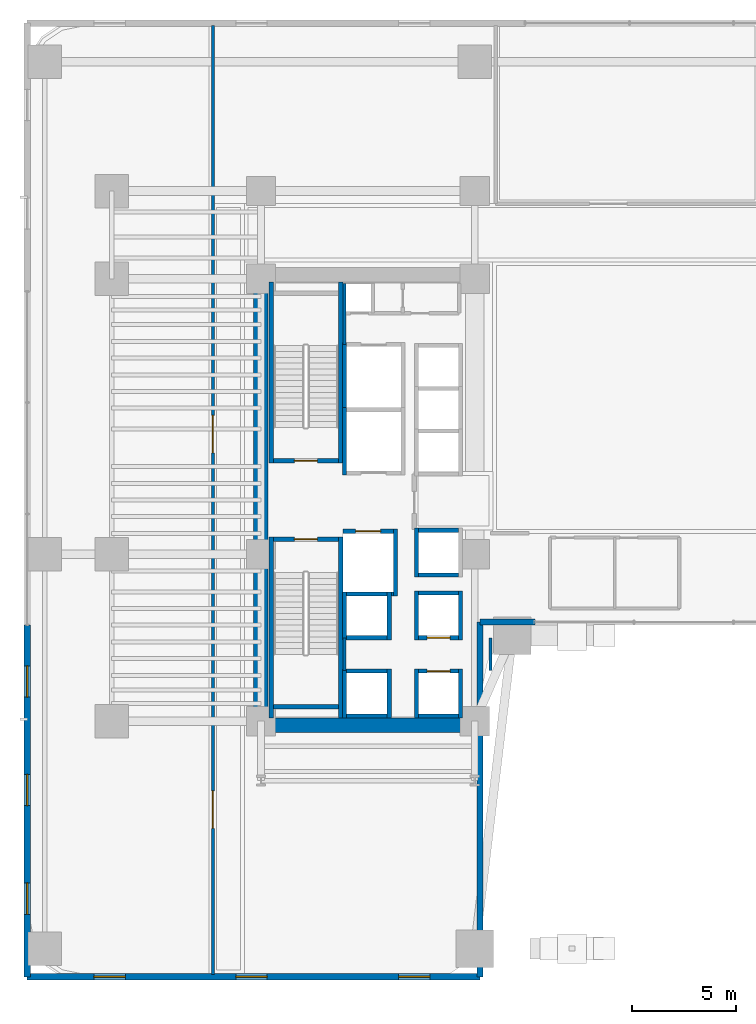
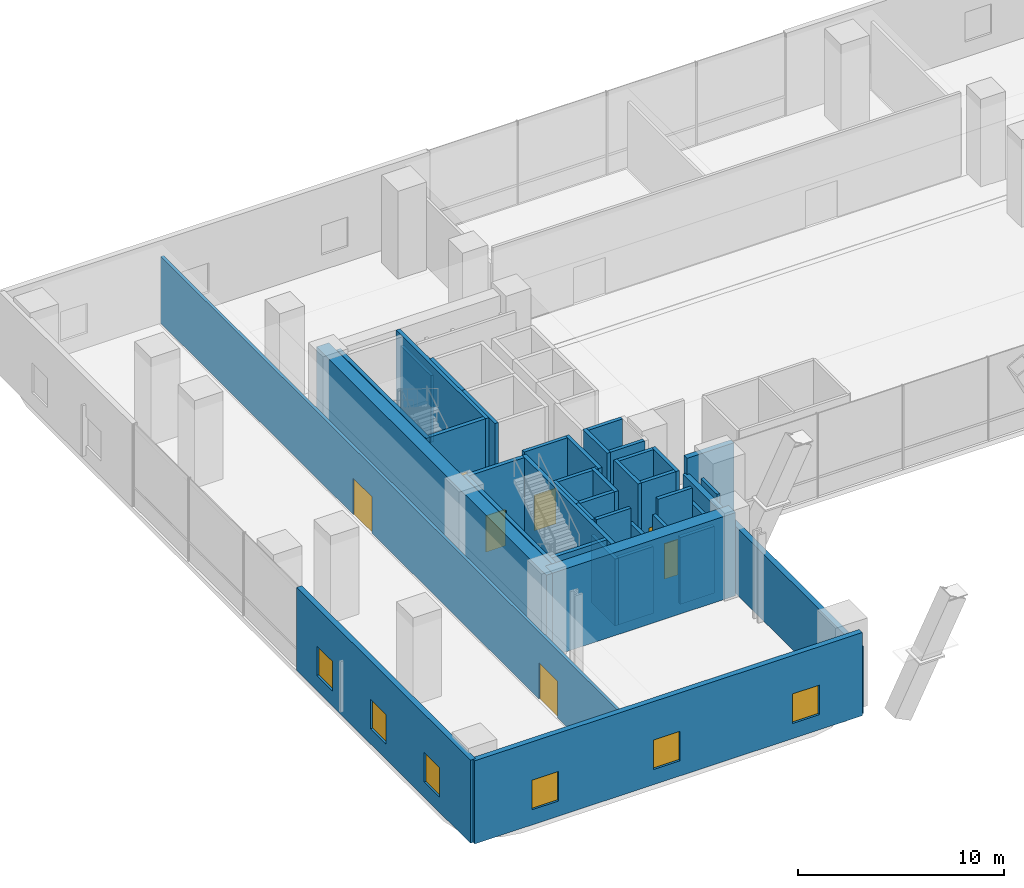
# One storey, part 26 of 39: 40 walls, 7 doors, 6 windows, 13 openings.
"""IFC4 building model written with IfcOpenShell, lengths in metres."""

from ifc_helpers import new_model, si_unit, direction, frame, frame_2d, origin, place, context, subcontext, project, spatial, rectangle, extrude, material, layer, layer_set, type_object, element, fill, save


model = new_model("IFC4")

# Units and contexts
model_context = context("Model", 3, precision=1e-05, world=origin(), true_north=direction((0.0, 1.0)))
body_context = subcontext(model_context, "Body", "Model", "MODEL_VIEW")
ifc_project = project(units=[si_unit("LENGTHUNIT", "METRE"), si_unit("AREAUNIT", "SQUARE_METRE"), si_unit("VOLUMEUNIT", "CUBIC_METRE"), si_unit("PLANEANGLEUNIT", "RADIAN"), si_unit("MASSUNIT", "GRAM", prefix="KILO")], contexts=[model_context])

# Site, building, storey
site_placement = place(None, origin())
site = spatial("IfcSite", under=ifc_project, at=site_placement, CompositionType="ELEMENT")
building_placement = place(site_placement, origin())
building = spatial("IfcBuilding", under=site, at=building_placement, Name="Valdorenza Pilgrim Sanctuary Tower", CompositionType="ELEMENT")
storey_placement = place(building_placement, frame((0.0, 0.0, 10.39990234375)))
storey = spatial("IfcBuildingStorey", under=building, at=storey_placement, Name="L02", CompositionType="ELEMENT", Elevation=10.39990234375)

# Walls
ifc_material_1 = material(Name="Acoustic twin-stud gypsum partition", Category="gypsum")
ifc_layer_1 = layer(ifc_material_1, 0.159912109375, Name="Acoustic twin-stud gypsum partition")
ifc_layer_set_1 = layer_set([ifc_layer_1], Name="Acoustic twin-stud gypsum partition")
wall_type_1 = type_object("IfcWallType", Name="WAL-COR-160", PredefinedType="PARTITIONING", material=ifc_layer_set_1)
wall_1_placement = place(storey_placement, frame((-18.64990234375, 7.449951171875, 0.0), z_axis=(0.0, 0.0, 1.0), x_axis=(0.0, 1.0, 0.0)))
element("IfcWall", 1, at=wall_1_placement, inside=storey, type_object=wall_type_1, Name="L02 Core A North Service West Wall", PredefinedType="PARTITIONING", context=body_context, shape_type="SweptSolid", body=[
    extrude(rectangle(XDim=2.929931640625, YDim=0.159912109375, at=frame_2d((1.46484375, 0.0))), origin(), (0.0, 0.0, 1.0), 3.95703125),
])
wall_2_placement = place(storey_placement, frame((-18.64990234375, -8.179931640625, 0.0), z_axis=(0.0, 0.0, 1.0), x_axis=(0.0, 1.0, 0.0)))
element("IfcWall", 2, at=wall_2_placement, inside=storey, type_object=wall_type_1, Name="L02 Core A South Lift Hall West Wall", PredefinedType="PARTITIONING", context=body_context, shape_type="SweptSolid", body=[
    extrude(rectangle(XDim=1.559814453125, YDim=0.159912109375, at=frame_2d((0.77978515625, 0.0))), origin(), (0.0, 0.0, 1.0), 4.920166015625),
])
wall_3_placement = place(storey_placement, frame((-11.64990234375, -8.179931640625, 0.0), z_axis=(0.0, 0.0, 1.0), x_axis=(0.0, 1.0, 0.0)))
element("IfcWall", 3, at=wall_3_placement, inside=storey, type_object=wall_type_1, Name="L02 Core A South Lift Hall East Wall", PredefinedType="PARTITIONING", context=body_context, shape_type="SweptSolid", body=[
    extrude(rectangle(XDim=1.559814453125, YDim=0.159912109375, at=frame_2d((0.77978515625, 0.0))), origin(), (0.0, 0.0, 1.0), 3.95703125),
])

# Wall, openings, doors
wall_4_placement = place(storey_placement, frame((-24.949951171875, -22.739990234375, 0.0), z_axis=(0.0, 0.0, 1.0), x_axis=(0.0, 1.0, 0.0)))
wall_4 = element("IfcWall", 4, at=wall_4_placement, inside=storey, type_object=wall_type_1, Name="L02 L02 West Hall Wall", PredefinedType="PARTITIONING", context=body_context, shape_type="SweptSolid", body=[
    extrude(rectangle(XDim=45.47998046875, YDim=0.159912109375, at=frame_2d((22.739990234375, 0.0))), origin(), (0.0, 0.0, 1.0), 3.95703125),
])
opening_1_placement = place(wall_4_placement, frame((7.0, 0.0, 0.0)))
opening_1 = element("IfcOpeningElement", 5, at=opening_1_placement, cuts=wall_4, Name="Opening DR-HL1", PredefinedType="OPENING", context=body_context, shape_type="SweptSolid", body=[
    extrude(rectangle(XDim=1.800048828125, YDim=2.14990234375, at=frame_2d((0.89990234375, 1.074951171875))), frame((0.0, 0.0947265625, 0.0), z_axis=(0.0, -1.0, 0.0), x_axis=(1.0, 0.0, 0.0)), (0.0, 0.0, 1.0), 0.189697265625),
])
opening_2_placement = place(wall_4_placement, frame((25.0, 0.0, 0.0)))
opening_2 = element("IfcOpeningElement", 6, at=opening_2_placement, cuts=wall_4, Name="Opening DR-HL1", PredefinedType="OPENING", context=body_context, shape_type="SweptSolid", body=[
    extrude(rectangle(XDim=1.800048828125, YDim=2.14990234375, at=frame_2d((0.89990234375, 1.074951171875))), frame((0.0, 0.0947265625, 0.0), z_axis=(0.0, -1.0, 0.0), x_axis=(1.0, 0.0, 0.0)), (0.0, 0.0, 1.0), 0.189697265625),
])
ifc_material_2 = material(Name="Acoustic oak and vision-glass double door", Category="glass")
door_type_1 = type_object("IfcDoorType", Name="DR-HALL-1800", OperationType="NOTDEFINED", PredefinedType="DOOR", material=ifc_material_2)
door_1_placement = place(opening_1_placement, origin())
door_1 = element("IfcDoor", 7, at=door_1_placement, inside=storey, type_object=door_type_1, Name="L02 Main Pilgrim Dining Restaurant South Double Door", OperationType="DOUBLE_DOOR_SINGLE_SWING", OverallHeight=2.14990234375, OverallWidth=1.800048828125, PredefinedType="DOOR", context=body_context, shape_type="SweptSolid", body=[
    extrude(rectangle(XDim=1.800048828125, YDim=2.14990234375, at=frame_2d((0.89990234375, 1.074951171875))), frame((0.0, 0.02490234375, 0.0), z_axis=(0.0, -1.0, 0.0), x_axis=(1.0, 0.0, 0.0)), (0.0, 0.0, 1.0), 0.050048828125),
])
fill(opening_1, door_1)
door_2_placement = place(opening_2_placement, frame((1.800048828125, 0.0, 0.0), z_axis=(0.0, 0.0, 1.0), x_axis=(-1.0, 0.0, 0.0)))
door_2 = element("IfcDoor", 8, at=door_2_placement, inside=storey, type_object=door_type_1, Name="L02 Main Pilgrim Dining Restaurant North Double Door", OperationType="DOUBLE_DOOR_SINGLE_SWING", OverallHeight=2.14990234375, OverallWidth=1.800048828125, PredefinedType="DOOR", context=body_context, shape_type="SweptSolid", body=[
    extrude(rectangle(XDim=1.800048828125, YDim=2.14990234375, at=frame_2d((0.89990234375, 1.074951171875))), frame((0.0, 0.02490234375, 0.0), z_axis=(0.0, -1.0, 0.0), x_axis=(1.0, 0.0, 0.0)), (0.0, 0.0, 1.0), 0.050048828125),
])
fill(opening_2, door_2)

# Walls
ifc_material_3 = material(Name="Concrete C60/75", Category="concrete")
ifc_layer_2 = layer(ifc_material_3, 0.699951171875, Name="Concrete C60/75")
ifc_layer_set_2 = layer_set([ifc_layer_2], Name="Concrete C60/75")
wall_type_2 = type_object("IfcWallType", Name="WAL-COR-700", PredefinedType="SHEAR", material=ifc_layer_set_2)
wall_5_placement = place(storey_placement, frame((-22.64990234375, -11.14990234375, 0.0), z_axis=(0.0, 0.0, 1.0), x_axis=(0.0, 1.0, 0.0)))
element("IfcWall", 9, at=wall_5_placement, inside=storey, type_object=wall_type_2, Name="L02 Split Core A Shear Wall W", PredefinedType="SHEAR", context=body_context, shape_type="SweptSolid", body=[
    extrude(rectangle(XDim=22.2998046875, YDim=0.699951171875, at=frame_2d((11.14990234375, 0.0))), origin(), (0.0, 0.0, 1.0), 4.920166015625),
])
wall_6_placement = place(storey_placement, frame((-22.64990234375, -10.800048828125, 0.0), z_axis=(0.0, 0.0, 1.0), x_axis=(1.0, 0.0, 0.0)))
element("IfcWall", 10, at=wall_6_placement, inside=storey, type_object=wall_type_2, Name="L02 Split Core A Shear Wall S", PredefinedType="SHEAR", context=body_context, shape_type="SweptSolid", body=[
    extrude(rectangle(XDim=10.25, YDim=0.699951171875, at=frame_2d((5.125, 0.0))), origin(), (0.0, 0.0, 1.0), 4.920166015625),
])

# Wall, openings, windows
ifc_material_4 = material(Name="Honed travertine limestone", Category="masonry")
ifc_layer_3 = layer(ifc_material_4, 0.300048828125, Name="Honed travertine limestone")
ifc_layer_set_3 = layer_set([ifc_layer_3], Name="Honed travertine limestone")
wall_type_3 = type_object("IfcWallType", Name="WAL-EXT-300", PredefinedType="SOLIDWALL", material=ifc_layer_set_3)
wall_7_placement = place(storey_placement, frame((-33.85009765625, -22.85009765625, 0.0), z_axis=(0.0, 0.0, 1.0), x_axis=(0.0, 1.0, 0.0)))
wall_7 = element("IfcWall", 11, at=wall_7_placement, inside=storey, type_object=wall_type_3, Name="L02 Podium Honed Travertine Stone Wall W-S", PredefinedType="SOLIDWALL", context=body_context, shape_type="SweptSolid", body=[
    extrude(rectangle(XDim=16.8701171875, YDim=0.300048828125, at=frame_2d((8.43505859375, 0.0))), origin(), (0.0, 0.0, 1.0), 4.920166015625),
])
opening_3_placement = place(wall_7_placement, frame((3.0, 0.0, 0.89990234375)))
opening_3 = element("IfcOpeningElement", 12, at=opening_3_placement, cuts=wall_7, Name="Opening WN-VS1", PredefinedType="OPENING", context=body_context, shape_type="SweptSolid", body=[
    extrude(rectangle(XDim=1.5, YDim=1.75, at=frame_2d((0.75, 0.875))), frame((0.0, 0.1650390625, 0.0), z_axis=(0.0, -1.0, 0.0), x_axis=(1.0, 0.0, 0.0)), (0.0, 0.0, 1.0), 0.329833984375),
])
opening_4_placement = place(wall_7_placement, frame((8.199951171875, 0.0, 0.89990234375)))
opening_4 = element("IfcOpeningElement", 13, at=opening_4_placement, cuts=wall_7, Name="Opening WN-VS1", PredefinedType="OPENING", context=body_context, shape_type="SweptSolid", body=[
    extrude(rectangle(XDim=1.5, YDim=1.75, at=frame_2d((0.75, 0.875))), frame((0.0, 0.1650390625, 0.0), z_axis=(0.0, -1.0, 0.0), x_axis=(1.0, 0.0, 0.0)), (0.0, 0.0, 1.0), 0.329833984375),
])
opening_5_placement = place(wall_7_placement, frame((13.39990234375, 0.0, 0.89990234375)))
opening_5 = element("IfcOpeningElement", 14, at=opening_5_placement, cuts=wall_7, Name="Opening WN-VS1", PredefinedType="OPENING", context=body_context, shape_type="SweptSolid", body=[
    extrude(rectangle(XDim=1.5, YDim=1.75, at=frame_2d((0.75, 0.875))), frame((0.0, 0.1650390625, 0.0), z_axis=(0.0, -1.0, 0.0), x_axis=(1.0, 0.0, 0.0)), (0.0, 0.0, 1.0), 0.329833984375),
])
ifc_material_5 = material(Name="Ceramic-fritted low-E IGU glazing", Category="glass")
window_type = type_object("IfcWindowType", Name="WIN-VIS-1500", PartitioningType="SINGLE_PANEL", PredefinedType="WINDOW", material=ifc_material_5)
window_1_placement = place(opening_3_placement, origin())
window_1 = element("IfcWindow", 15, at=window_1_placement, inside=storey, type_object=window_type, Name="L02 Podium Stone Vision Window W-S-1", OverallHeight=1.75, OverallWidth=1.5, PartitioningType="SINGLE_PANEL", PredefinedType="WINDOW", context=body_context, shape_type="SweptSolid", body=[
    extrude(rectangle(XDim=1.5, YDim=1.75, at=frame_2d((0.75, 0.875))), frame((0.0, 0.030029296875, 0.0), z_axis=(0.0, -1.0, 0.0), x_axis=(1.0, 0.0, 0.0)), (0.0, 0.0, 1.0), 0.06005859375),
])
fill(opening_3, window_1)
window_2_placement = place(opening_4_placement, origin())
window_2 = element("IfcWindow", 16, at=window_2_placement, inside=storey, type_object=window_type, Name="L02 Podium Stone Vision Window W-S-2", OverallHeight=1.75, OverallWidth=1.5, PartitioningType="SINGLE_PANEL", PredefinedType="WINDOW", context=body_context, shape_type="SweptSolid", body=[
    extrude(rectangle(XDim=1.5, YDim=1.75, at=frame_2d((0.75, 0.875))), frame((0.0, 0.030029296875, 0.0), z_axis=(0.0, -1.0, 0.0), x_axis=(1.0, 0.0, 0.0)), (0.0, 0.0, 1.0), 0.06005859375),
])
fill(opening_4, window_2)
window_3_placement = place(opening_5_placement, origin())
window_3 = element("IfcWindow", 17, at=window_3_placement, inside=storey, type_object=window_type, Name="L02 Podium Stone Vision Window W-S-3", OverallHeight=1.75, OverallWidth=1.5, PartitioningType="SINGLE_PANEL", PredefinedType="WINDOW", context=body_context, shape_type="SweptSolid", body=[
    extrude(rectangle(XDim=1.5, YDim=1.75, at=frame_2d((0.75, 0.875))), frame((0.0, 0.030029296875, 0.0), z_axis=(0.0, -1.0, 0.0), x_axis=(1.0, 0.0, 0.0)), (0.0, 0.0, 1.0), 0.06005859375),
])
fill(opening_5, window_3)

wall_8_placement = place(storey_placement, frame((-33.85009765625, -22.85009765625, 0.0), z_axis=(0.0, 0.0, 1.0), x_axis=(1.0, 0.0, 0.0)))
wall_8 = element("IfcWall", 18, at=wall_8_placement, inside=storey, type_object=wall_type_3, Name="L02 Podium Honed Travertine Stone Wall S-W", PredefinedType="SOLIDWALL", context=body_context, shape_type="SweptSolid", body=[
    extrude(rectangle(XDim=21.7001953125, YDim=0.300048828125, at=frame_2d((10.85009765625, 0.0))), origin(), (0.0, 0.0, 1.0), 4.920166015625),
])
opening_6_placement = place(wall_8_placement, frame((3.199951171875, 0.0, 0.89990234375)))
opening_6 = element("IfcOpeningElement", 19, at=opening_6_placement, cuts=wall_8, Name="Opening WN-VS1", PredefinedType="OPENING", context=body_context, shape_type="SweptSolid", body=[
    extrude(rectangle(XDim=1.5, YDim=1.75, at=frame_2d((0.75, 0.875))), frame((0.0, 0.1650390625, 0.0), z_axis=(0.0, -1.0, 0.0), x_axis=(1.0, 0.0, 0.0)), (0.0, 0.0, 1.0), 0.329833984375),
])
opening_7_placement = place(wall_8_placement, frame((10.0, 0.0, 0.89990234375)))
opening_7 = element("IfcOpeningElement", 20, at=opening_7_placement, cuts=wall_8, Name="Opening WN-VS1", PredefinedType="OPENING", context=body_context, shape_type="SweptSolid", body=[
    extrude(rectangle(XDim=1.5, YDim=1.75, at=frame_2d((0.75, 0.875))), frame((0.0, 0.1650390625, 0.0), z_axis=(0.0, -1.0, 0.0), x_axis=(1.0, 0.0, 0.0)), (0.0, 0.0, 1.0), 0.329833984375),
])
opening_8_placement = place(wall_8_placement, frame((17.800048828125, 0.0, 0.89990234375)))
opening_8 = element("IfcOpeningElement", 21, at=opening_8_placement, cuts=wall_8, Name="Opening WN-VS1", PredefinedType="OPENING", context=body_context, shape_type="SweptSolid", body=[
    extrude(rectangle(XDim=1.5, YDim=1.75, at=frame_2d((0.75, 0.875))), frame((0.0, 0.1650390625, 0.0), z_axis=(0.0, -1.0, 0.0), x_axis=(1.0, 0.0, 0.0)), (0.0, 0.0, 1.0), 0.329833984375),
])
window_4_placement = place(opening_6_placement, origin())
window_4 = element("IfcWindow", 22, at=window_4_placement, inside=storey, type_object=window_type, Name="L02 Podium Stone Vision Window S-W-1", OverallHeight=1.75, OverallWidth=1.5, PartitioningType="SINGLE_PANEL", PredefinedType="WINDOW", context=body_context, shape_type="SweptSolid", body=[
    extrude(rectangle(XDim=1.5, YDim=1.75, at=frame_2d((0.75, 0.875))), frame((0.0, 0.030029296875, 0.0), z_axis=(0.0, -1.0, 0.0), x_axis=(1.0, 0.0, 0.0)), (0.0, 0.0, 1.0), 0.06005859375),
])
fill(opening_6, window_4)
window_5_placement = place(opening_7_placement, origin())
window_5 = element("IfcWindow", 23, at=window_5_placement, inside=storey, type_object=window_type, Name="L02 Podium Stone Vision Window S-W-2", OverallHeight=1.75, OverallWidth=1.5, PartitioningType="SINGLE_PANEL", PredefinedType="WINDOW", context=body_context, shape_type="SweptSolid", body=[
    extrude(rectangle(XDim=1.5, YDim=1.75, at=frame_2d((0.75, 0.875))), frame((0.0, 0.030029296875, 0.0), z_axis=(0.0, -1.0, 0.0), x_axis=(1.0, 0.0, 0.0)), (0.0, 0.0, 1.0), 0.06005859375),
])
fill(opening_7, window_5)
window_6_placement = place(opening_8_placement, origin())
window_6 = element("IfcWindow", 24, at=window_6_placement, inside=storey, type_object=window_type, Name="L02 Podium Stone Vision Window S-W-3", OverallHeight=1.75, OverallWidth=1.5, PartitioningType="SINGLE_PANEL", PredefinedType="WINDOW", context=body_context, shape_type="SweptSolid", body=[
    extrude(rectangle(XDim=1.5, YDim=1.75, at=frame_2d((0.75, 0.875))), frame((0.0, 0.030029296875, 0.0), z_axis=(0.0, -1.0, 0.0), x_axis=(1.0, 0.0, 0.0)), (0.0, 0.0, 1.0), 0.06005859375),
])
fill(opening_8, window_6)

# Walls
wall_9_placement = place(storey_placement, frame((-12.14990234375, -22.85009765625, 0.0), z_axis=(0.0, 0.0, 1.0), x_axis=(0.0, 1.0, 0.0)))
element("IfcWall", 25, at=wall_9_placement, inside=storey, type_object=wall_type_3, Name="L02 Portal Arch Stone Cheek Wall ARCH-W", PredefinedType="SOLIDWALL", context=body_context, shape_type="SweptSolid", body=[
    extrude(rectangle(XDim=17.0, YDim=0.300048828125, at=frame_2d((8.5, 0.0))), origin(), (0.0, 0.0, 1.0), 3.95703125),
])
wall_10_placement = place(storey_placement, frame((-12.14990234375, -5.85009765625, 0.0), z_axis=(0.0, 0.0, 1.0), x_axis=(1.0, 0.0, 0.0)))
element("IfcWall", 26, at=wall_10_placement, inside=storey, type_object=wall_type_3, Name="L02 Arch Pier West Stone Jamb", PredefinedType="SOLIDWALL", context=body_context, shape_type="SweptSolid", body=[
    extrude(rectangle(XDim=2.6298828125, YDim=0.300048828125, at=frame_2d((1.31494140625, 0.0))), origin(), (0.0, 0.0, 1.0), 4.920166015625),
])
ifc_material_6 = material(Name="Autoclaved aerated concrete blockwork", Category="masonry")
ifc_layer_4 = layer(ifc_material_6, 0.199951171875, Name="Autoclaved aerated concrete blockwork")
ifc_layer_set_4 = layer_set([ifc_layer_4], Name="Autoclaved aerated concrete blockwork")
wall_type_4 = type_object("IfcWallType", Name="WAL-SHF-200", PredefinedType="MOVABLE", material=ifc_layer_set_4)
wall_11_placement = place(storey_placement, frame((-18.64990234375, 1.199951171875, 0.0), z_axis=(0.0, 0.0, 1.0), x_axis=(0.0, 1.0, 0.0)))
element("IfcWall", 27, at=wall_11_placement, inside=storey, type_object=wall_type_4, Name="L02 Lift FFL-01 Hoistway Wall West", PredefinedType="MOVABLE", context=body_context, shape_type="SweptSolid", body=[
    extrude(rectangle(XDim=3.22509765625, YDim=0.199951171875, at=frame_2d((1.612548828125, 0.0))), origin(), (0.0, 0.0, 1.0), 4.920166015625),
])
wall_12_placement = place(storey_placement, frame((-16.199951171875, -4.60009765625, 0.0), z_axis=(0.0, 0.0, 1.0), x_axis=(0.0, 1.0, 0.0)))
element("IfcWall", 28, at=wall_12_placement, inside=storey, type_object=wall_type_4, Name="L02 Lift FFL-02 Hoistway Wall East", PredefinedType="MOVABLE", context=body_context, shape_type="SweptSolid", body=[
    extrude(rectangle(XDim=3.2001953125, YDim=0.199951171875, at=frame_2d((1.60009765625, 0.0))), origin(), (0.0, 0.0, 1.0), 4.920166015625),
])
wall_13_placement = place(storey_placement, frame((-18.719970703125, -4.5, 0.0), z_axis=(0.0, 0.0, 1.0), x_axis=(1.0, 0.0, 0.0)))
element("IfcWall", 29, at=wall_13_placement, inside=storey, type_object=wall_type_4, Name="L02 Lift FFL-02 Hoistway Wall South", PredefinedType="MOVABLE", context=body_context, shape_type="SweptSolid", body=[
    extrude(rectangle(XDim=2.419921875, YDim=0.199951171875, at=frame_2d((1.2099609375, 0.0))), origin(), (0.0, 0.0, 1.0), 4.920166015625),
])

# Wall, opening, door
wall_14_placement = place(storey_placement, frame((-18.719970703125, -1.5, 0.0), z_axis=(0.0, 0.0, 1.0), x_axis=(1.0, 0.0, 0.0)))
wall_14 = element("IfcWall", 30, at=wall_14_placement, inside=storey, type_object=wall_type_4, Name="L02 Lift FFL-02 Hoistway Wall North", PredefinedType="MOVABLE", context=body_context, shape_type="SweptSolid", body=[
    extrude(rectangle(XDim=2.419921875, YDim=0.199951171875, at=frame_2d((1.2099609375, 0.0))), origin(), (0.0, 0.0, 1.0), 4.920166015625),
])
opening_9_placement = place(wall_14_placement, frame((0.610107421875, 0.0, 0.0)))
opening_9 = element("IfcOpeningElement", 31, at=opening_9_placement, cuts=wall_14, Name="Opening LD-02", PredefinedType="OPENING", context=body_context, shape_type="SweptSolid", body=[
    extrude(rectangle(XDim=1.199951171875, YDim=2.10009765625, at=frame_2d((0.60009765625, 1.050048828125))), frame((0.0, 0.11474609375, 0.0), z_axis=(0.0, -1.0, 0.0), x_axis=(1.0, 0.0, 0.0)), (0.0, 0.0, 1.0), 0.229736328125),
])
ifc_material_7 = material(Name="Brushed stainless steel Grade 316", Category="steel")
door_type_2 = type_object("IfcDoorType", Name="DR-LFT-1200", OperationType="DOUBLE_DOOR_SLIDING", PredefinedType="DOOR", material=ifc_material_7)
door_3_placement = place(opening_9_placement, origin())
door_3 = element("IfcDoor", 32, at=door_3_placement, inside=storey, type_object=door_type_2, Name="L02 Lift FFL-02 Sliding Landing Door", OperationType="DOUBLE_DOOR_SLIDING", OverallHeight=2.10009765625, OverallWidth=1.199951171875, PredefinedType="DOOR", context=body_context, shape_type="SweptSolid", body=[
    extrude(rectangle(XDim=1.199951171875, YDim=2.10009765625, at=frame_2d((0.60009765625, 1.050048828125))), frame((0.0, 0.02490234375, 0.0), z_axis=(0.0, -1.0, 0.0), x_axis=(1.0, 0.0, 0.0)), (0.0, 0.0, 1.0), 0.050048828125),
])
fill(opening_9, door_3)

# Walls
wall_15_placement = place(storey_placement, frame((-18.64990234375, 4.22509765625, 0.0), z_axis=(0.0, 0.0, 1.0), x_axis=(0.0, 1.0, 0.0)))
element("IfcWall", 33, at=wall_15_placement, inside=storey, type_object=wall_type_4, Name="L02 Lift SVL-01 Hoistway Wall West", PredefinedType="MOVABLE", context=body_context, shape_type="SweptSolid", body=[
    extrude(rectangle(XDim=3.324951171875, YDim=0.199951171875, at=frame_2d((1.66259765625, 0.0))), origin(), (0.0, 0.0, 1.0), 4.920166015625),
])
for number, where, z_axis, x_axis, name in (
    (34, (-15.199951171875, -10.449951171875, 0.0), (0.0, 0.0, 1.0), (0.0, 1.0, 0.0), "L02 Lift PL-01 Hoistway Wall West"),
    (35, (-13.080078125, -10.449951171875, 0.0), (0.0, 0.0, 1.0), (0.0, 1.0, 0.0), "L02 Lift PL-01 Hoistway Wall East"),
):
    element("IfcWall", number, at=place(storey_placement, frame(where, z_axis=z_axis, x_axis=x_axis)), inside=storey, type_object=wall_type_4, Name=name, PredefinedType="MOVABLE", context=body_context, shape_type="SweptSolid", body=[
        extrude(rectangle(XDim=2.349853515625, YDim=0.199951171875, at=frame_2d((1.1748046875, 0.0))), origin(), (0.0, 0.0, 1.0), 3.95703125),
    ])
wall_16_placement = place(storey_placement, frame((-15.10009765625, -10.35009765625, 0.0), z_axis=(0.0, 0.0, 1.0), x_axis=(1.0, 0.0, 0.0)))
element("IfcWall", 36, at=wall_16_placement, inside=storey, type_object=wall_type_4, Name="L02 Lift PL-01 Hoistway Wall South", PredefinedType="MOVABLE", context=body_context, shape_type="SweptSolid", body=[
    extrude(rectangle(XDim=1.920166015625, YDim=0.199951171875, at=frame_2d((0.9599609375, 0.0))), origin(), (0.0, 0.0, 1.0), 3.95703125),
])

# Wall, opening, door
wall_17_placement = place(storey_placement, frame((-15.10009765625, -8.199951171875, 0.0), z_axis=(0.0, 0.0, 1.0), x_axis=(1.0, 0.0, 0.0)))
wall_17 = element("IfcWall", 37, at=wall_17_placement, inside=storey, type_object=wall_type_4, Name="L02 Lift PL-01 Hoistway Wall North", PredefinedType="MOVABLE", context=body_context, shape_type="SweptSolid", body=[
    extrude(rectangle(XDim=1.920166015625, YDim=0.199951171875, at=frame_2d((0.9599609375, 0.0))), origin(), (0.0, 0.0, 1.0), 4.920166015625),
])
opening_10_placement = place(wall_17_placement, frame((0.409912109375, 0.0, 0.0)))
opening_10 = element("IfcOpeningElement", 38, at=opening_10_placement, cuts=wall_17, Name="Opening LD-01", PredefinedType="OPENING", context=body_context, shape_type="SweptSolid", body=[
    extrude(rectangle(XDim=1.10009765625, YDim=2.10009765625, at=frame_2d((0.550048828125, 1.050048828125))), frame((0.0, 0.11474609375, 0.0), z_axis=(0.0, -1.0, 0.0), x_axis=(1.0, 0.0, 0.0)), (0.0, 0.0, 1.0), 0.229736328125),
])
door_type_3 = type_object("IfcDoorType", Name="DR-LFT-1100", OperationType="DOUBLE_DOOR_SLIDING", PredefinedType="DOOR", material=ifc_material_7)
door_4_placement = place(opening_10_placement, origin())
door_4 = element("IfcDoor", 39, at=door_4_placement, inside=storey, type_object=door_type_3, Name="L02 Lift PL-01 Sliding Landing Door", OperationType="DOUBLE_DOOR_SLIDING", OverallHeight=2.10009765625, OverallWidth=1.10009765625, PredefinedType="DOOR", context=body_context, shape_type="SweptSolid", body=[
    extrude(rectangle(XDim=1.10009765625, YDim=2.10009765625, at=frame_2d((0.550048828125, 1.050048828125))), frame((0.0, 0.02490234375, 0.0), z_axis=(0.0, -1.0, 0.0), x_axis=(1.0, 0.0, 0.0)), (0.0, 0.0, 1.0), 0.050048828125),
])
fill(opening_10, door_4)

# Walls
for number, where, z_axis, x_axis, name in (
    (40, (-15.199951171875, -6.699951171875, 0.0), (0.0, 0.0, 1.0), (0.0, 1.0, 0.0), "L02 Lift PL-02 Hoistway Wall West"),
    (41, (-13.080078125, -6.699951171875, 0.0), (0.0, 0.0, 1.0), (0.0, 1.0, 0.0), "L02 Lift PL-02 Hoistway Wall East"),
):
    element("IfcWall", number, at=place(storey_placement, frame(where, z_axis=z_axis, x_axis=x_axis)), inside=storey, type_object=wall_type_4, Name=name, PredefinedType="MOVABLE", context=body_context, shape_type="SweptSolid", body=[
        extrude(rectangle(XDim=2.349853515625, YDim=0.199951171875, at=frame_2d((1.1748046875, 0.0))), origin(), (0.0, 0.0, 1.0), 4.920166015625),
    ])

# Wall, opening, door
wall_18_placement = place(storey_placement, frame((-15.10009765625, -6.60009765625, 0.0), z_axis=(0.0, 0.0, 1.0), x_axis=(1.0, 0.0, 0.0)))
wall_18 = element("IfcWall", 42, at=wall_18_placement, inside=storey, type_object=wall_type_4, Name="L02 Lift PL-02 Hoistway Wall South", PredefinedType="MOVABLE", context=body_context, shape_type="SweptSolid", body=[
    extrude(rectangle(XDim=1.920166015625, YDim=0.199951171875, at=frame_2d((0.9599609375, 0.0))), origin(), (0.0, 0.0, 1.0), 4.920166015625),
])
opening_11_placement = place(wall_18_placement, frame((0.409912109375, 0.0, 0.0)))
opening_11 = element("IfcOpeningElement", 43, at=opening_11_placement, cuts=wall_18, Name="Opening LD-01", PredefinedType="OPENING", context=body_context, shape_type="SweptSolid", body=[
    extrude(rectangle(XDim=1.10009765625, YDim=2.10009765625, at=frame_2d((0.550048828125, 1.050048828125))), frame((0.0, 0.11474609375, 0.0), z_axis=(0.0, -1.0, 0.0), x_axis=(1.0, 0.0, 0.0)), (0.0, 0.0, 1.0), 0.229736328125),
])
door_5_placement = place(opening_11_placement, origin())
door_5 = element("IfcDoor", 44, at=door_5_placement, inside=storey, type_object=door_type_3, Name="L02 Lift PL-02 Sliding Landing Door", OperationType="DOUBLE_DOOR_SLIDING", OverallHeight=2.10009765625, OverallWidth=1.10009765625, PredefinedType="DOOR", context=body_context, shape_type="SweptSolid", body=[
    extrude(rectangle(XDim=1.10009765625, YDim=2.10009765625, at=frame_2d((0.550048828125, 1.050048828125))), frame((0.0, 0.02490234375, 0.0), z_axis=(0.0, -1.0, 0.0), x_axis=(1.0, 0.0, 0.0)), (0.0, 0.0, 1.0), 0.050048828125),
])
fill(opening_11, door_5)

# Walls
wall_19_placement = place(storey_placement, frame((-15.10009765625, -4.449951171875, 0.0), z_axis=(0.0, 0.0, 1.0), x_axis=(1.0, 0.0, 0.0)))
element("IfcWall", 45, at=wall_19_placement, inside=storey, type_object=wall_type_4, Name="L02 Lift PL-02 Hoistway Wall North", PredefinedType="MOVABLE", context=body_context, shape_type="SweptSolid", body=[
    extrude(rectangle(XDim=1.920166015625, YDim=0.199951171875, at=frame_2d((0.9599609375, 0.0))), origin(), (0.0, 0.0, 1.0), 4.920166015625),
])
for number, where, z_axis, x_axis, name in (
    (46, (-18.64990234375, -10.449951171875, 0.0), (0.0, 0.0, 1.0), (0.0, 1.0, 0.0), "L02 Lift PL-05 Hoistway Wall West"),
    (47, (-16.5, -10.449951171875, 0.0), (0.0, 0.0, 1.0), (0.0, 1.0, 0.0), "L02 Lift PL-05 Hoistway Wall East"),
):
    element("IfcWall", number, at=place(storey_placement, frame(where, z_axis=z_axis, x_axis=x_axis)), inside=storey, type_object=wall_type_4, Name=name, PredefinedType="MOVABLE", context=body_context, shape_type="SweptSolid", body=[
        extrude(rectangle(XDim=2.349853515625, YDim=0.199951171875, at=frame_2d((1.1748046875, 0.0))), origin(), (0.0, 0.0, 1.0), 3.95703125),
    ])
wall_20_placement = place(storey_placement, frame((-18.550048828125, -10.35009765625, 0.0), z_axis=(0.0, 0.0, 1.0), x_axis=(1.0, 0.0, 0.0)))
element("IfcWall", 48, at=wall_20_placement, inside=storey, type_object=wall_type_4, Name="L02 Lift PL-05 Hoistway Wall South", PredefinedType="MOVABLE", context=body_context, shape_type="SweptSolid", body=[
    extrude(rectangle(XDim=1.949951171875, YDim=0.199951171875, at=frame_2d((0.97509765625, 0.0))), origin(), (0.0, 0.0, 1.0), 3.95703125),
])
wall_21_placement = place(storey_placement, frame((-18.550048828125, -8.199951171875, 0.0), z_axis=(0.0, 0.0, 1.0), x_axis=(1.0, 0.0, 0.0)))
element("IfcWall", 49, at=wall_21_placement, inside=storey, type_object=wall_type_4, Name="L02 Lift PL-05 Hoistway Wall North", PredefinedType="MOVABLE", context=body_context, shape_type="SweptSolid", body=[
    extrude(rectangle(XDim=1.949951171875, YDim=0.199951171875, at=frame_2d((0.97509765625, 0.0))), origin(), (0.0, 0.0, 1.0), 4.920166015625),
])
for number, where, z_axis, x_axis, name in (
    (50, (-18.64990234375, -6.699951171875, 0.0), (0.0, 0.0, 1.0), (0.0, 1.0, 0.0), "L02 Lift PL-11 Hoistway Wall West"),
    (51, (-16.5, -6.699951171875, 0.0), (0.0, 0.0, 1.0), (0.0, 1.0, 0.0), "L02 Lift PL-11 Hoistway Wall East"),
):
    element("IfcWall", number, at=place(storey_placement, frame(where, z_axis=z_axis, x_axis=x_axis)), inside=storey, type_object=wall_type_4, Name=name, PredefinedType="MOVABLE", context=body_context, shape_type="SweptSolid", body=[
        extrude(rectangle(XDim=2.300048828125, YDim=0.199951171875, at=frame_2d((1.14990234375, 0.0))), origin(), (0.0, 0.0, 1.0), 4.920166015625),
    ])
wall_22_placement = place(storey_placement, frame((-18.550048828125, -6.60009765625, 0.0), z_axis=(0.0, 0.0, 1.0), x_axis=(1.0, 0.0, 0.0)))
element("IfcWall", 52, at=wall_22_placement, inside=storey, type_object=wall_type_4, Name="L02 Lift PL-11 Hoistway Wall South", PredefinedType="MOVABLE", context=body_context, shape_type="SweptSolid", body=[
    extrude(rectangle(XDim=1.949951171875, YDim=0.199951171875, at=frame_2d((0.97509765625, 0.0))), origin(), (0.0, 0.0, 1.0), 4.920166015625),
])
wall_23_placement = place(storey_placement, frame((-15.199951171875, -3.699951171875, 0.0), z_axis=(0.0, 0.0, 1.0), x_axis=(0.0, 1.0, 0.0)))
element("IfcWall", 53, at=wall_23_placement, inside=storey, type_object=wall_type_4, Name="L02 Lift PL-12 Hoistway Wall West", PredefinedType="MOVABLE", context=body_context, shape_type="SweptSolid", body=[
    extrude(rectangle(XDim=2.349853515625, YDim=0.199951171875, at=frame_2d((1.1748046875, 0.0))), origin(), (0.0, 0.0, 1.0), 4.920166015625),
])
for number, where, z_axis, x_axis, name in (
    (54, (-15.10009765625, -3.60009765625, 0.0), (0.0, 0.0, 1.0), (1.0, 0.0, 0.0), "L02 Lift PL-12 Hoistway Wall South"),
    (55, (-15.10009765625, -1.449951171875, 0.0), (0.0, 0.0, 1.0), (1.0, 0.0, 0.0), "L02 Lift PL-12 Hoistway Wall North"),
):
    element("IfcWall", number, at=place(storey_placement, frame(where, z_axis=z_axis, x_axis=x_axis)), inside=storey, type_object=wall_type_4, Name=name, PredefinedType="MOVABLE", context=body_context, shape_type="SweptSolid", body=[
        extrude(rectangle(XDim=1.920166015625, YDim=0.199951171875, at=frame_2d((0.9599609375, 0.0))), origin(), (0.0, 0.0, 1.0), 4.920166015625),
    ])
ifc_material_8 = material(Name="Concrete C40/50", Category="concrete")
ifc_layer_5 = layer(ifc_material_8, 0.219970703125, Name="Concrete C40/50")
ifc_layer_set_5 = layer_set([ifc_layer_5], Name="Concrete C40/50")
wall_type_5 = type_object("IfcWallType", Name="WAL-STR-SHF-220", PredefinedType="SHEAR", material=ifc_layer_set_5)
for number, where, z_axis, x_axis, name in (
    (56, (-22.159912109375, 1.780029296875, 0.0), (0.0, 0.0, 1.0), (0.0, 1.0, 0.0), "L02 ST-A1 Structural Stairwell Wall W"),
    (57, (-18.830078125, 1.780029296875, 0.0), (0.0, 0.0, 1.0), (0.0, 1.0, 0.0), "L02 ST-A1 Structural Stairwell Wall E"),
):
    element("IfcWall", number, at=place(storey_placement, frame(where, z_axis=z_axis, x_axis=x_axis)), inside=storey, type_object=wall_type_5, Name=name, PredefinedType="SHEAR", context=body_context, shape_type="SweptSolid", body=[
        extrude(rectangle(XDim=8.669921875, YDim=0.219970703125, at=frame_2d((4.3349609375, 0.0))), origin(), (0.0, 0.0, 1.0), 4.920166015625),
    ])

# Wall, opening, door
wall_24_placement = place(storey_placement, frame((-22.050048828125, 1.889892578125, 0.0), z_axis=(0.0, 0.0, 1.0), x_axis=(1.0, 0.0, 0.0)))
wall_24 = element("IfcWall", 58, at=wall_24_placement, inside=storey, type_object=wall_type_5, Name="L02 ST-A1 Structural Stairwell Wall S", PredefinedType="SHEAR", context=body_context, shape_type="SweptSolid", body=[
    extrude(rectangle(XDim=3.110107421875, YDim=0.219970703125, at=frame_2d((1.55517578125, 0.0))), origin(), (0.0, 0.0, 1.0), 4.920166015625),
])
opening_12_placement = place(wall_24_placement, frame((1.0, 0.0, 0.0)))
opening_12 = element("IfcOpeningElement", 59, at=opening_12_placement, cuts=wall_24, Name="Opening DR-ST1", PredefinedType="OPENING", context=body_context, shape_type="SweptSolid", body=[
    extrude(rectangle(XDim=1.10009765625, YDim=2.14990234375, at=frame_2d((0.550048828125, 1.074951171875))), frame((0.0, 0.125, 0.0), z_axis=(0.0, -1.0, 0.0), x_axis=(1.0, 0.0, 0.0)), (0.0, 0.0, 1.0), 0.249755859375),
])
ifc_material_9 = material(Name="Painted galvanized steel", Category="steel")
door_type_4 = type_object("IfcDoorType", Name="DR-STAIR-1100", OperationType="NOTDEFINED", PredefinedType="DOOR", material=ifc_material_9)
door_6_placement = place(opening_12_placement, frame((1.10009765625, 0.0, 0.0), z_axis=(0.0, 0.0, 1.0), x_axis=(-1.0, 0.0, 0.0)))
door_6 = element("IfcDoor", 60, at=door_6_placement, inside=storey, type_object=door_type_4, Name="L02 Exit Stair ST-A1 Door", OperationType="SINGLE_SWING_LEFT", OverallHeight=2.14990234375, OverallWidth=1.10009765625, PredefinedType="DOOR", context=body_context, shape_type="SweptSolid", body=[
    extrude(rectangle(XDim=1.10009765625, YDim=2.14990234375, at=frame_2d((0.550048828125, 1.074951171875))), frame((0.0, 0.02490234375, 0.0), z_axis=(0.0, -1.0, 0.0), x_axis=(1.0, 0.0, 0.0)), (0.0, 0.0, 1.0), 0.050048828125),
])
fill(opening_12, door_6)

# Walls
for number, where, z_axis, x_axis, name in (
    (61, (-22.159912109375, -10.449951171875, 0.0), (0.0, 0.0, 1.0), (0.0, 1.0, 0.0), "L02 ST-A2 Structural Stairwell Wall W"),
    (62, (-18.830078125, -10.449951171875, 0.0), (0.0, 0.0, 1.0), (0.0, 1.0, 0.0), "L02 ST-A2 Structural Stairwell Wall E"),
):
    element("IfcWall", number, at=place(storey_placement, frame(where, z_axis=z_axis, x_axis=x_axis)), inside=storey, type_object=wall_type_5, Name=name, PredefinedType="SHEAR", context=body_context, shape_type="SweptSolid", body=[
        extrude(rectangle(XDim=8.669921875, YDim=0.219970703125, at=frame_2d((4.3349609375, 0.0))), origin(), (0.0, 0.0, 1.0), 4.920166015625),
    ])
wall_25_placement = place(storey_placement, frame((-22.050048828125, -9.909912109375, 0.0), z_axis=(0.0, 0.0, 1.0), x_axis=(1.0, 0.0, 0.0)))
element("IfcWall", 63, at=wall_25_placement, inside=storey, type_object=wall_type_5, Name="L02 ST-A2 Structural Stairwell Wall S", PredefinedType="SHEAR", context=body_context, shape_type="SweptSolid", body=[
    extrude(rectangle(XDim=3.110107421875, YDim=0.219970703125, at=frame_2d((1.55517578125, 0.0))), origin(), (0.0, 0.0, 1.0), 4.920166015625),
])

# Wall, opening, door
wall_26_placement = place(storey_placement, frame((-22.050048828125, -1.889892578125, 0.0), z_axis=(0.0, 0.0, 1.0), x_axis=(1.0, 0.0, 0.0)))
wall_26 = element("IfcWall", 64, at=wall_26_placement, inside=storey, type_object=wall_type_5, Name="L02 ST-A2 Structural Stairwell Wall N", PredefinedType="SHEAR", context=body_context, shape_type="SweptSolid", body=[
    extrude(rectangle(XDim=3.110107421875, YDim=0.219970703125, at=frame_2d((1.55517578125, 0.0))), origin(), (0.0, 0.0, 1.0), 4.920166015625),
])
opening_13_placement = place(wall_26_placement, frame((1.0, 0.0, 0.0)))
opening_13 = element("IfcOpeningElement", 65, at=opening_13_placement, cuts=wall_26, Name="Opening DR-ST1", PredefinedType="OPENING", context=body_context, shape_type="SweptSolid", body=[
    extrude(rectangle(XDim=1.10009765625, YDim=2.14990234375, at=frame_2d((0.550048828125, 1.074951171875))), frame((0.0, 0.125, 0.0), z_axis=(0.0, -1.0, 0.0), x_axis=(1.0, 0.0, 0.0)), (0.0, 0.0, 1.0), 0.249755859375),
])
door_7_placement = place(opening_13_placement, origin())
door_7 = element("IfcDoor", 66, at=door_7_placement, inside=storey, type_object=door_type_4, Name="L02 Exit Stair ST-A2 Door", OperationType="SINGLE_SWING_RIGHT", OverallHeight=2.14990234375, OverallWidth=1.10009765625, PredefinedType="DOOR", context=body_context, shape_type="SweptSolid", body=[
    extrude(rectangle(XDim=1.10009765625, YDim=2.14990234375, at=frame_2d((0.550048828125, 1.074951171875))), frame((0.0, 0.02490234375, 0.0), z_axis=(0.0, -1.0, 0.0), x_axis=(1.0, 0.0, 0.0)), (0.0, 0.0, 1.0), 0.050048828125),
])
fill(opening_13, door_7)

save(model, "model.ifc")
